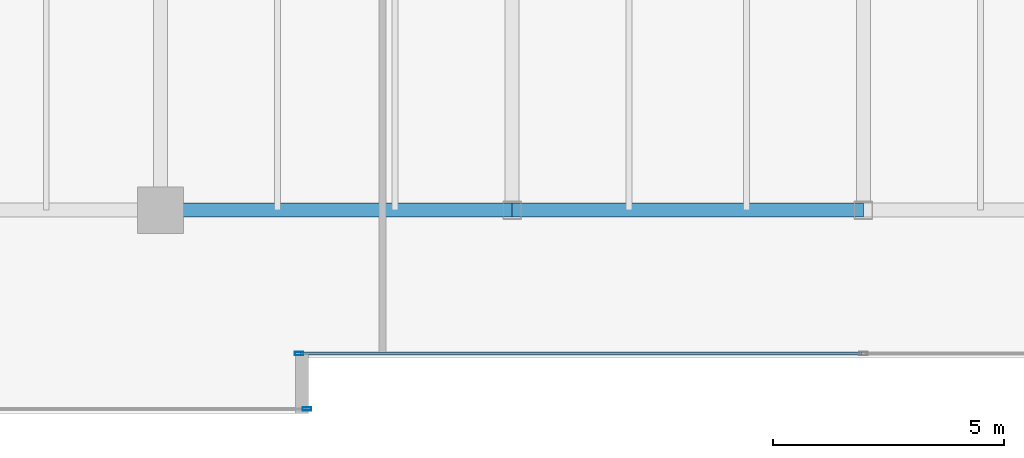
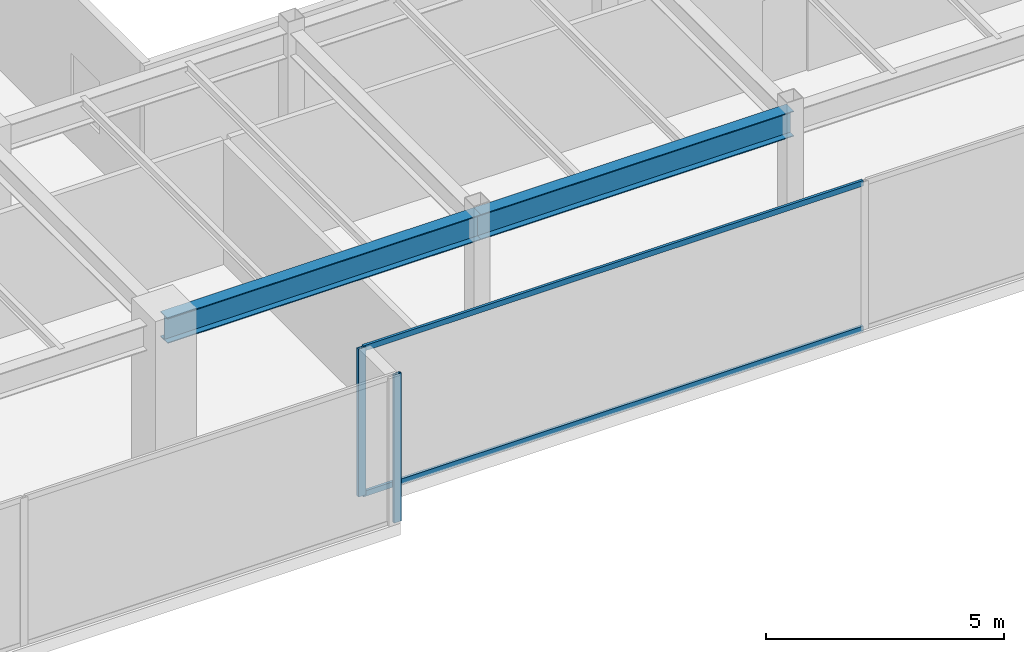
# One storey, part 7 of 33: 4 members, 2 beams, 2 elements without a shape of their own.
"""IFC4 building model written with IfcOpenShell, lengths in metres."""

import ifcopenshell
import ifcopenshell.guid

model = None  # the IFC model being written
_history = None  # IfcOwnerHistory: only IFC2X3 demands one
_inside = {}  # id of a spatial element -> (the spatial element, [elements in it])
_under = {}  # id of a project, library or spatial element -> (it, [spatial elements below it])
_declared = {}  # id of a project -> (the project, [libraries it declares])
_typed = {}  # id of a type object -> (the type object, [elements of that type])
_made_of = {}  # id of a material, layer set ... -> (it, [elements and type objects made of it])


def new_model(schema):
    """Start an empty IFC model of exactly this schema.

    Asked for "IFC4X3", IfcOpenShell would pick the latest addendum, in which some entities
    have other attributes; the version numbers below select the first issue.
    IFC2X3 requires an IfcOwnerHistory on every rooted entity: one is made here for all.
    """
    global model, _history
    if schema == "IFC4X3":
        model = ifcopenshell.file(schema_version=(4, 3, 0, 0))
    else:
        model = ifcopenshell.file(schema=schema)
    _inside.clear()
    _under.clear()
    _declared.clear()
    _typed.clear()
    _made_of.clear()
    _history = None
    if model.schema == "IFC2X3":
        org = make("IfcOrganization", Name="unknown")
        user = make(
            "IfcPersonAndOrganization",
            ThePerson=make("IfcPerson", FamilyName="unknown"),
            TheOrganization=org,
        )
        app = make(
            "IfcApplication",
            ApplicationDeveloper=org,
            Version="unknown",
            ApplicationFullName="unknown",
            ApplicationIdentifier="unknown",
        )
        _history = make(
            "IfcOwnerHistory",
            OwningUser=user,
            OwningApplication=app,
            ChangeAction="ADDED",
            CreationDate=0,
        )
    return model


def make(cls, **values):
    """One entity of the class cls with the attributes given. An attribute that is None is left unset."""
    return model.create_entity(
        cls, **{name: value for name, value in values.items() if value is not None}
    )


def rooted(cls, **values):
    """An entity with a GlobalId (a new one), such as an element, a storey or a relation."""
    return make(cls, GlobalId=ifcopenshell.guid.new(), OwnerHistory=_history, **values)


def si_unit(unit_type, name, prefix=None):
    """IfcSIUnit, for example si_unit("LENGTHUNIT", "METRE", prefix="MILLI")."""
    return make("IfcSIUnit", UnitType=unit_type, Prefix=prefix, Name=name)


def assignment(units):
    """IfcUnitAssignment: the units of a project."""
    return None if units is None else make("IfcUnitAssignment", Units=units)


def point(xyz):
    """IfcCartesianPoint."""
    return None if xyz is None else make("IfcCartesianPoint", Coordinates=xyz)


def direction(xyz):
    """IfcDirection."""
    return None if xyz is None else make("IfcDirection", DirectionRatios=xyz)


def frame(location, z_axis=None, x_axis=None):
    """IfcAxis2Placement3D, a coordinate frame: its origin and axes. An axis left out is left unset."""
    return make(
        "IfcAxis2Placement3D",
        Location=point(location),
        Axis=direction(z_axis),
        RefDirection=direction(x_axis),
    )


def frame_2d(location, x_axis=None):
    """IfcAxis2Placement2D, a coordinate frame in the plane: its origin and x axis."""
    return make(
        "IfcAxis2Placement2D", Location=point(location), RefDirection=direction(x_axis)
    )


def origin():
    """The frame at (0, 0, 0) with its axes left unset."""
    return frame((0.0, 0.0, 0.0))


def origin_2d():
    """The frame at (0, 0) in the plane with its x axis left unset."""
    return frame_2d((0.0, 0.0))


def place(relative_to, where):
    """IfcLocalPlacement: puts the frame where relative to a parent placement (None: the world)."""
    return make(
        "IfcLocalPlacement", PlacementRelTo=relative_to, RelativePlacement=where
    )


def context(
    kind, dimensions, precision=None, world=None, true_north=None, identifier=None
):
    """IfcGeometricRepresentationContext, for example the 3D "Model" context."""
    return make(
        "IfcGeometricRepresentationContext",
        ContextIdentifier=identifier,
        ContextType=kind,
        CoordinateSpaceDimension=dimensions,
        Precision=precision,
        WorldCoordinateSystem=world,
        TrueNorth=true_north,
    )


def subcontext(parent, identifier, kind, view, scale=None):
    """IfcGeometricRepresentationSubContext, for example "Body" below "Model"."""
    return make(
        "IfcGeometricRepresentationSubContext",
        ContextIdentifier=identifier,
        ContextType=kind,
        ParentContext=parent,
        TargetScale=scale,
        TargetView=view,
    )


def project(units=None, contexts=None):
    """IfcProject with its units and contexts."""
    return rooted(
        "IfcProject",
        Name="project",
        RepresentationContexts=contexts,
        UnitsInContext=assignment(units),
    )


def spatial(cls, under=None, at=None, **own):
    """A site, building, storey or space (cls), placed at a placement, below another one or the project."""
    s = rooted(cls, ObjectPlacement=at, **own)
    if under is not None:
        _under.setdefault(under.id(), (under, []))[1].append(s)
    return s


def profile(cls, at=None, kind="AREA", **sizes):
    """A parametric profile (cls). Its sizes go by their IFC names, for example OverallWidth=200.0."""
    return make(cls, ProfileType=kind, Position=at, **sizes)


def hollow_rectangle(**sizes):
    """IfcRectangleHollowProfileDef."""
    return profile("IfcRectangleHollowProfileDef", **sizes)


def i_section(**sizes):
    """IfcIShapeProfileDef."""
    return profile("IfcIShapeProfileDef", **sizes)


def extrude(swept, where, along, depth):
    """IfcExtrudedAreaSolid: the profile swept, set in the frame where, extruded along a direction by depth."""
    return make(
        "IfcExtrudedAreaSolid",
        SweptArea=swept,
        Position=where,
        ExtrudedDirection=direction(along),
        Depth=depth,
    )


def shape(context_of_items, identifier, shape_type, items):
    """IfcShapeRepresentation: the items that make up one representation, for example the "Body"."""
    return make(
        "IfcShapeRepresentation",
        ContextOfItems=context_of_items,
        RepresentationIdentifier=identifier,
        RepresentationType=shape_type,
        Items=items,
    )


def source(mapping_origin, context_of_items, identifier, shape_type, items):
    """IfcRepresentationMap: a shape defined once, which mapped items show again and again."""
    return make(
        "IfcRepresentationMap",
        MappingOrigin=mapping_origin,
        MappedRepresentation=shape(context_of_items, identifier, shape_type, items),
    )


def transform(
    local_origin,
    x_axis=None,
    y_axis=None,
    z_axis=None,
    scale=None,
    scale2=None,
    scale3=None,
    uniform=True,
):
    """IfcCartesianTransformationOperator3D, or its non-uniform kind. x_axis, y_axis, z_axis: its Axis1, 2, 3."""
    if uniform:
        return make(
            "IfcCartesianTransformationOperator3D",
            Axis1=direction(x_axis),
            Axis2=direction(y_axis),
            LocalOrigin=point(local_origin),
            Scale=scale,
            Axis3=direction(z_axis),
        )
    return make(
        "IfcCartesianTransformationOperator3DnonUniform",
        Axis1=direction(x_axis),
        Axis2=direction(y_axis),
        LocalOrigin=point(local_origin),
        Scale=scale,
        Axis3=direction(z_axis),
        Scale2=scale2,
        Scale3=scale3,
    )


def mapped(mapping_source, mapping_target):
    """IfcMappedItem: shows the shape of a source again, moved by a transform."""
    return make(
        "IfcMappedItem", MappingSource=mapping_source, MappingTarget=mapping_target
    )


def material(Name=None, Category=None):
    """IfcMaterial."""
    return make("IfcMaterial", Name=Name, Category=Category)


def layer(
    of_material, thickness, ventilated=None, Name=None, Category=None, Priority=None
):
    """IfcMaterialLayer: one layer of a wall or slab, of a material (None: an air gap)."""
    return make(
        "IfcMaterialLayer",
        Material=of_material,
        LayerThickness=thickness,
        IsVentilated=ventilated,
        Name=Name,
        Category=Category,
        Priority=Priority,
    )


def layer_set(layers, Name=None):
    """IfcMaterialLayerSet."""
    return make("IfcMaterialLayerSet", MaterialLayers=layers, LayerSetName=Name)


def material_profile(
    of_material, cross_section, Name=None, Category=None, Priority=None
):
    """IfcMaterialProfile: a cross section and its material."""
    return make(
        "IfcMaterialProfile",
        Name=Name,
        Material=of_material,
        Profile=cross_section,
        Priority=Priority,
        Category=Category,
    )


def profile_set(profiles, Name=None, composite=None):
    """IfcMaterialProfileSet."""
    return make(
        "IfcMaterialProfileSet",
        Name=Name,
        MaterialProfiles=profiles,
        CompositeProfile=composite,
    )


def made_of(thing, what):
    """Note that an element or type object is made of a material, layer set ...; save() writes the relation."""
    if what is not None:
        _made_of.setdefault(what.id(), (what, []))[1].append(thing)
    return thing


def type_object(cls, material=None, **own):
    """A type object (cls), such as IfcWallType, which elements share."""
    return made_of(rooted(cls, **own), material)


def type_shapes(of_type, sources):
    """Give a type object the sources (RepresentationMaps) that its elements show as mapped items."""
    of_type.RepresentationMaps = sources


def element(
    cls,
    number,
    at=None,
    inside=None,
    cuts=None,
    type_object=None,
    material=None,
    context=None,
    identifier="Body",
    shape_type=None,
    held_by="IfcProductDefinitionShape",
    body=None,
    shapes=None,
    **own,
):
    """One element of the class cls, such as IfcWall. Its Tag is "e" and its number.

    at: its placement. inside: the storey or other place that contains it. cuts: it is an
    opening in that element (IfcRelVoidsElement). A single representation is given by context,
    identifier, shape_type and body (its items); several are given by shapes. held_by: the class
    of the entity that holds the representations. save() writes the other relations.
    """
    e = rooted(cls, Tag="e%d" % number, ObjectPlacement=at, **own)
    if body is not None:
        shapes = [shape(context, identifier, shape_type, body)]
    if shapes is not None:
        e.Representation = make(held_by, Representations=shapes)
    if inside is not None:
        _inside.setdefault(inside.id(), (inside, []))[1].append(e)
    if cuts is not None:
        rooted(
            "IfcRelVoidsElement", RelatingBuildingElement=cuts, RelatedOpeningElement=e
        )
    if type_object is not None:
        _typed.setdefault(type_object.id(), (type_object, []))[1].append(e)
    return made_of(e, material)


def aggregate(whole, parts):
    """IfcRelAggregates: a whole, such as a stair, and the parts it consists of."""
    return rooted("IfcRelAggregates", RelatingObject=whole, RelatedObjects=parts)


def save(model, path):
    """Write the relations noted so far, then the file.

    IfcRelAggregates (storeys below a building ...), IfcRelContainedInSpatialStructure (elements
    in a storey), IfcRelDefinesByType, IfcRelAssociatesMaterial and IfcRelDeclares: one each for
    every whole, place, type object, material and project.
    """
    for whole, parts in _under.values():
        aggregate(whole, parts)
    for where, things in _inside.values():
        rooted(
            "IfcRelContainedInSpatialStructure",
            RelatedElements=things,
            RelatingStructure=where,
        )
    for kind, things in _typed.values():
        rooted("IfcRelDefinesByType", RelatedObjects=things, RelatingType=kind)
    for what, things in _made_of.values():
        rooted("IfcRelAssociatesMaterial", RelatedObjects=things, RelatingMaterial=what)
    for by, libraries in _declared.values():
        rooted("IfcRelDeclares", RelatingContext=by, RelatedDefinitions=libraries)
    model.write(path)


model = new_model("IFC4")

# Units and contexts
model_context = context("Model", 3, precision=1e-05, world=origin(), true_north=direction((0.0, 1.0)))
body_context = subcontext(model_context, "Body", "Model", "MODEL_VIEW")
ifc_project = project(units=[si_unit("LENGTHUNIT", "METRE"), si_unit("AREAUNIT", "SQUARE_METRE"), si_unit("VOLUMEUNIT", "CUBIC_METRE"), si_unit("PLANEANGLEUNIT", "RADIAN"), si_unit("MASSUNIT", "GRAM", prefix="KILO")], contexts=[model_context])

# Site, building, storey
site_placement = place(None, origin())
site = spatial("IfcSite", under=ifc_project, at=site_placement, CompositionType="ELEMENT")
building_placement = place(site_placement, origin())
building = spatial("IfcBuilding", under=site, at=building_placement, Name="Haelvirn Gate Laboratories", CompositionType="ELEMENT")
storey_placement = place(building_placement, frame((0.0, 0.0, 271.10009765625)))
storey = spatial("IfcBuildingStorey", under=building, at=storey_placement, Name="L65", CompositionType="ELEMENT", Elevation=271.10009765625)

# Beams
ifc_material_1 = material(Name="Steel SM355", Category="steel")
ifc_material_profile_1 = material_profile(ifc_material_1, i_section(OverallWidth=0.300048828125, OverallDepth=0.64990234375, WebThickness=0.012939453125, FlangeThickness=0.02197265625, at=origin_2d()), Name="H-650x300x13x22")
ifc_profile_set_1 = profile_set([ifc_material_profile_1], Name="Steel SM355")
beam_type = type_object("IfcBeamType", Name="BM-G-650", PredefinedType="BEAM", material=ifc_profile_set_1)
shared_shape_1 = source(origin(), body_context, "Body", "SweptSolid", [
    extrude(i_section(OverallWidth=0.300048828125, OverallDepth=0.64990234375, WebThickness=0.012939453125, FlangeThickness=0.02197265625, at=origin_2d()), origin(), (0.0, 0.0, 1.0), 7.60009765625),
])
beam_1_placement = place(storey_placement, frame((22.199951171875, 7.0, 3.474853515625), z_axis=(1.0, 0.0, 0.0), x_axis=(0.0, 1.0, 0.0)))
element("IfcBeam", 1, at=beam_1_placement, inside=storey, type_object=beam_type, Name="L65 Primary Girder Y7.0 (22.2-29.8)", PredefinedType="BEAM", context=body_context, shape_type="MappedRepresentation", body=[
    mapped(shared_shape_1, transform((0.0, 0.0, 0.0), scale=1.0)),
])
shared_shape_2 = source(origin(), body_context, "Body", "SweptSolid", [
    extrude(i_section(OverallWidth=0.300048828125, OverallDepth=0.64990234375, WebThickness=0.012939453125, FlangeThickness=0.02197265625, at=origin_2d()), origin(), (0.0, 0.0, 1.0), 7.599853515625),
])
type_shapes(beam_type, [shared_shape_1, shared_shape_2])
beam_2_placement = place(storey_placement, frame((29.800048828125, 7.0, 3.474853515625), z_axis=(1.0, 0.0, 0.0), x_axis=(0.0, 1.0, 0.0)))
element("IfcBeam", 2, at=beam_2_placement, inside=storey, type_object=beam_type, Name="L65 Primary Girder Y7.0 (29.8-37.4)", PredefinedType="BEAM", context=body_context, shape_type="MappedRepresentation", body=[
    mapped(shared_shape_2, transform((0.0, 0.0, 0.0), scale=1.0)),
])

# Curtain wall, members
ifc_material_2 = material(Name="Anodised bronze unitised aluminium & triple low-E glass", Category="aluminium")
ifc_layer = layer(ifc_material_2, 0.176025390625, Name="CW-SYS-4")
ifc_layer_set = layer_set([ifc_layer], Name="Anodised bronze unitised aluminium & triple low-E glass")
curtain_wall_type = type_object("IfcCurtainWallType", Name="CW-SYS-4", PredefinedType="NOTDEFINED", material=ifc_layer_set)
curtain_wall_1_placement = place(storey_placement, origin())
curtain_wall_1 = element("IfcCurtainWall", 3, at=curtain_wall_1_placement, inside=storey, type_object=curtain_wall_type, Name="L65 Unitised Curtain Wall CW-L65-P0-E02-1", PredefinedType="NOTDEFINED")
ifc_material_3 = material(Name="Extruded aluminium 6063-T6 (anodised bronze)", Category="aluminium")
ifc_material_profile_2 = material_profile(ifc_material_3, hollow_rectangle(XDim=0.06494140625, YDim=0.139892578125, WallThickness=0.00390625, at=origin_2d()), Name="CWT-140x65x4")
ifc_profile_set_2 = profile_set([ifc_material_profile_2], Name="Extruded aluminium 6063-T6 (anodised bronze)")
member_type_1 = type_object("IfcMemberType", Name="CWT-T140", PredefinedType="USERDEFINED", material=ifc_profile_set_2)
shared_shape_3 = source(origin(), body_context, "Body", "SweptSolid", [
    extrude(hollow_rectangle(XDim=0.06494140625, YDim=0.139892578125, WallThickness=0.00390625, at=origin_2d()), origin(), (0.0, 0.0, 1.0), 12.135009765625),
])
type_shapes(member_type_1, [shared_shape_3])
member_1_placement = place(storey_placement, frame((25.22998046875, 3.89990234375, 0.032470703125), z_axis=(1.0, 0.0, 0.0), x_axis=(0.0, 1.0, 0.0)))
member_1 = element("IfcMember", 4, at=member_1_placement, type_object=member_type_1, Name="CW4 transom 1.1", ObjectType="TRANSOM", PredefinedType="USERDEFINED", context=body_context, shape_type="MappedRepresentation", body=[
    mapped(shared_shape_3, transform((0.0, 0.0, 0.0), scale=1.0)),
])
member_2_placement = place(storey_placement, frame((25.22998046875, 3.89990234375, 3.767333984375), z_axis=(1.0, 0.0, 0.0), x_axis=(0.0, 1.0, 0.0)))
member_2 = element("IfcMember", 5, at=member_2_placement, type_object=member_type_1, Name="CW4 transom 1.2", ObjectType="TRANSOM", PredefinedType="USERDEFINED", context=body_context, shape_type="MappedRepresentation", body=[
    mapped(shared_shape_3, transform((0.0, 0.0, 0.0), scale=1.0)),
])

# Curtain wall, member
curtain_wall_2_placement = place(storey_placement, origin())
curtain_wall_2 = element("IfcCurtainWall", 6, at=curtain_wall_2_placement, inside=storey, type_object=curtain_wall_type, Name="L65 Unitised Curtain Wall CW-L65-P0-E00-1", PredefinedType="NOTDEFINED")
ifc_material_profile_3 = material_profile(ifc_material_3, hollow_rectangle(XDim=0.070068359375, YDim=0.179931640625, WallThickness=0.0048828125, at=origin_2d()), Name="CWM-180x70x5")
ifc_profile_set_3 = profile_set([ifc_material_profile_3], Name="Extruded aluminium 6063-T6 (anodised bronze)")
member_type_2 = type_object("IfcMemberType", Name="CWM-T180", PredefinedType="MULLION", material=ifc_profile_set_3)
shared_shape_4 = source(origin(), body_context, "Body", "SweptSolid", [
    extrude(hollow_rectangle(XDim=0.070068359375, YDim=0.179931640625, WallThickness=0.0048828125, at=origin_2d()), origin(), (0.0, 0.0, 1.0), 3.7998046875),
])
type_shapes(member_type_2, [shared_shape_4])
member_3_placement = place(storey_placement, frame((25.364990234375, 2.699951171875, 0.0), z_axis=(0.0, 0.0, 1.0), x_axis=(0.0, 1.0, 0.0)))
member_3 = element("IfcMember", 7, at=member_3_placement, type_object=member_type_2, Name="CW4 mullion 3", PredefinedType="MULLION", context=body_context, shape_type="MappedRepresentation", body=[
    mapped(shared_shape_4, transform((0.0, 0.0, 0.0), scale=1.0)),
])
aggregate(curtain_wall_2, [member_3])

# Member
member_4_placement = place(storey_placement, frame((25.195068359375, 3.89990234375, 0.0), z_axis=(0.0, 0.0, 1.0), x_axis=(0.0, 1.0, 0.0)))
member_4 = element("IfcMember", 8, at=member_4_placement, type_object=member_type_2, Name="CW4 mullion 1", PredefinedType="MULLION", context=body_context, shape_type="MappedRepresentation", body=[
    mapped(shared_shape_4, transform((0.0, 0.0, 0.0), scale=1.0)),
])

aggregate(curtain_wall_1, [member_4, member_1, member_2])

save(model, "model.ifc")
